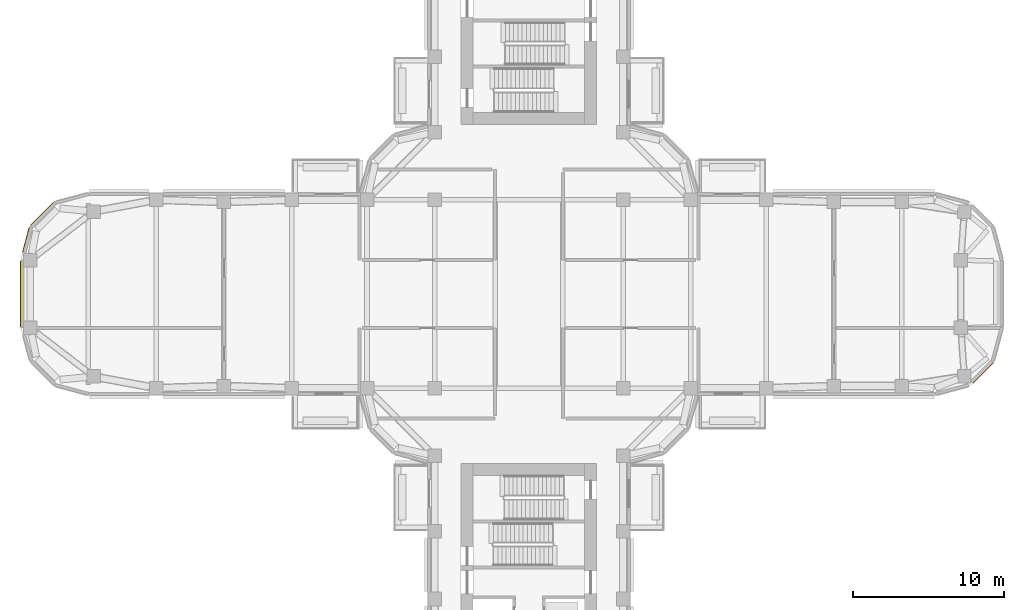
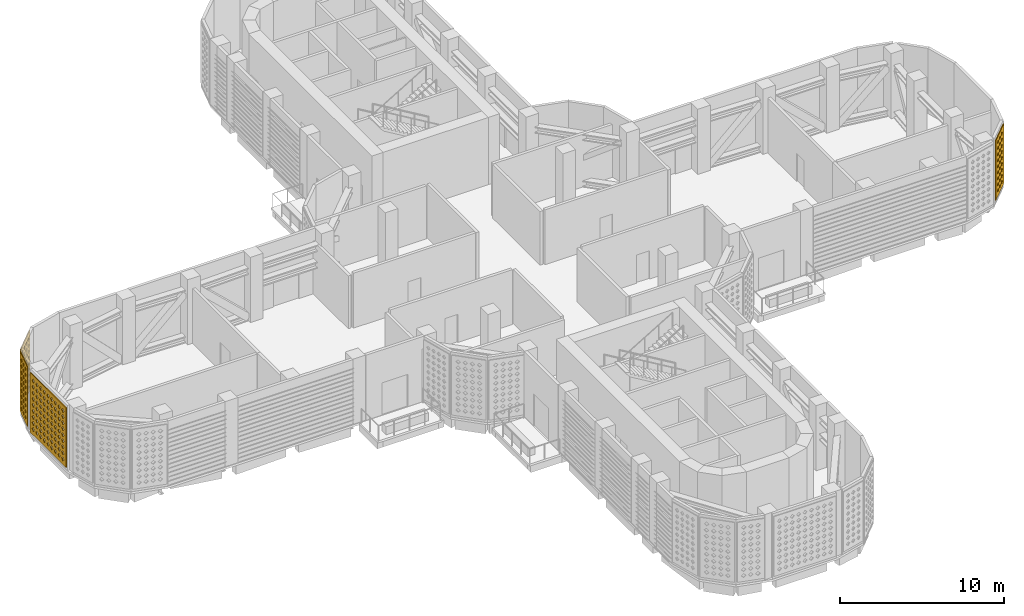
# One storey, part 14 of 20: 4 coverings.
"""IFC4 building model written with IfcOpenShell, lengths in metres."""

from ifc_helpers import new_model, si_unit, direction, frame, origin, place, context, subcontext, project, spatial, polyline, outline, extrude, source, transform, mapped, material, layer, layer_set, type_object, element, save


model = new_model("IFC4")

# Units and contexts
model_context = context("Model", 3, precision=1e-05, world=origin(), true_north=direction((0.0, 1.0)))
body_context = subcontext(model_context, "Body", "Model", "MODEL_VIEW")
ifc_project = project(units=[si_unit("LENGTHUNIT", "METRE"), si_unit("AREAUNIT", "SQUARE_METRE"), si_unit("VOLUMEUNIT", "CUBIC_METRE"), si_unit("PLANEANGLEUNIT", "RADIAN"), si_unit("MASSUNIT", "GRAM", prefix="KILO")], contexts=[model_context])

# Site, building, storey
site_placement = place(None, origin())
site = spatial("IfcSite", under=ifc_project, at=site_placement, CompositionType="ELEMENT")
building_placement = place(site_placement, origin())
building = spatial("IfcBuilding", under=site, at=building_placement, Name="Zarbagh Exchange Tower", CompositionType="ELEMENT")
storey_placement = place(building_placement, frame((0.0, 0.0, 136.0)))
storey = spatial("IfcBuildingStorey", under=building, at=storey_placement, Name="L32", CompositionType="ELEMENT", Elevation=136.0)

# Coverings
ifc_material = material(Name="Glass-fibre reinforced concrete GFRC C50/60", Category="concrete")
ifc_layer = layer(ifc_material, 0.06005859375)
ifc_layer_set = layer_set([ifc_layer], Name="SCREEN jali panel, GFRC")
covering_type = type_object("IfcCoveringType", Name="SCREEN jali panel, GFRC", PredefinedType="CLADDING", material=ifc_layer_set)
shared_shape_1 = source(origin(), body_context, "Body", "SweptSolid", [
    extrude(outline(polyline([(0.0, 0.0), (2.1650390625, 0.0), (2.1650390625, 4.449951171875), (0.0, 4.449951171875), (0.0, 0.0)]), holes=[polyline([(0.257568359375, 0.425048828125), (0.407470703125, 0.27490234375), (0.5576171875, 0.425048828125), (0.407470703125, 0.574951171875), (0.257568359375, 0.425048828125)]), polyline([(0.257568359375, 0.875), (0.407470703125, 0.72509765625), (0.5576171875, 0.875), (0.407470703125, 1.02490234375), (0.257568359375, 0.875)]), polyline([(0.257568359375, 1.324951171875), (0.407470703125, 1.175048828125), (0.5576171875, 1.324951171875), (0.407470703125, 1.47509765625), (0.257568359375, 1.324951171875)]), polyline([(0.257568359375, 1.77490234375), (0.407470703125, 1.625), (0.5576171875, 1.77490234375), (0.407470703125, 1.925048828125), (0.257568359375, 1.77490234375)]), polyline([(0.257568359375, 2.22509765625), (0.407470703125, 2.074951171875), (0.5576171875, 2.22509765625), (0.407470703125, 2.375), (0.257568359375, 2.22509765625)]), polyline([(0.257568359375, 2.675048828125), (0.407470703125, 2.52490234375), (0.5576171875, 2.675048828125), (0.407470703125, 2.824951171875), (0.257568359375, 2.675048828125)]), polyline([(0.257568359375, 3.125), (0.407470703125, 2.97509765625), (0.5576171875, 3.125), (0.407470703125, 3.27490234375), (0.257568359375, 3.125)]), polyline([(0.257568359375, 3.574951171875), (0.407470703125, 3.425048828125), (0.5576171875, 3.574951171875), (0.407470703125, 3.72509765625), (0.257568359375, 3.574951171875)]), polyline([(0.257568359375, 4.02490234375), (0.407470703125, 3.875), (0.5576171875, 4.02490234375), (0.407470703125, 4.175048828125), (0.257568359375, 4.02490234375)]), polyline([(0.70751953125, 0.425048828125), (0.857421875, 0.27490234375), (1.007568359375, 0.425048828125), (0.857421875, 0.574951171875), (0.70751953125, 0.425048828125)]), polyline([(0.70751953125, 0.875), (0.857421875, 0.72509765625), (1.007568359375, 0.875), (0.857421875, 1.02490234375), (0.70751953125, 0.875)]), polyline([(0.70751953125, 1.324951171875), (0.857421875, 1.175048828125), (1.007568359375, 1.324951171875), (0.857421875, 1.47509765625), (0.70751953125, 1.324951171875)]), polyline([(0.70751953125, 1.77490234375), (0.857421875, 1.625), (1.007568359375, 1.77490234375), (0.857421875, 1.925048828125), (0.70751953125, 1.77490234375)]), polyline([(0.70751953125, 2.22509765625), (0.857421875, 2.074951171875), (1.007568359375, 2.22509765625), (0.857421875, 2.375), (0.70751953125, 2.22509765625)]), polyline([(0.70751953125, 2.675048828125), (0.857421875, 2.52490234375), (1.007568359375, 2.675048828125), (0.857421875, 2.824951171875), (0.70751953125, 2.675048828125)]), polyline([(0.70751953125, 3.125), (0.857421875, 2.97509765625), (1.007568359375, 3.125), (0.857421875, 3.27490234375), (0.70751953125, 3.125)]), polyline([(0.70751953125, 3.574951171875), (0.857421875, 3.425048828125), (1.007568359375, 3.574951171875), (0.857421875, 3.72509765625), (0.70751953125, 3.574951171875)]), polyline([(0.70751953125, 4.02490234375), (0.857421875, 3.875), (1.007568359375, 4.02490234375), (0.857421875, 4.175048828125), (0.70751953125, 4.02490234375)]), polyline([(1.157470703125, 0.425048828125), (1.3076171875, 0.27490234375), (1.45751953125, 0.425048828125), (1.3076171875, 0.574951171875), (1.157470703125, 0.425048828125)]), polyline([(1.157470703125, 0.875), (1.3076171875, 0.72509765625), (1.45751953125, 0.875), (1.3076171875, 1.02490234375), (1.157470703125, 0.875)]), polyline([(1.157470703125, 1.324951171875), (1.3076171875, 1.175048828125), (1.45751953125, 1.324951171875), (1.3076171875, 1.47509765625), (1.157470703125, 1.324951171875)]), polyline([(1.157470703125, 1.77490234375), (1.3076171875, 1.625), (1.45751953125, 1.77490234375), (1.3076171875, 1.925048828125), (1.157470703125, 1.77490234375)]), polyline([(1.157470703125, 2.22509765625), (1.3076171875, 2.074951171875), (1.45751953125, 2.22509765625), (1.3076171875, 2.375), (1.157470703125, 2.22509765625)]), polyline([(1.157470703125, 2.675048828125), (1.3076171875, 2.52490234375), (1.45751953125, 2.675048828125), (1.3076171875, 2.824951171875), (1.157470703125, 2.675048828125)]), polyline([(1.157470703125, 3.125), (1.3076171875, 2.97509765625), (1.45751953125, 3.125), (1.3076171875, 3.27490234375), (1.157470703125, 3.125)]), polyline([(1.157470703125, 3.574951171875), (1.3076171875, 3.425048828125), (1.45751953125, 3.574951171875), (1.3076171875, 3.72509765625), (1.157470703125, 3.574951171875)]), polyline([(1.157470703125, 4.02490234375), (1.3076171875, 3.875), (1.45751953125, 4.02490234375), (1.3076171875, 4.175048828125), (1.157470703125, 4.02490234375)]), polyline([(1.607421875, 0.425048828125), (1.757568359375, 0.27490234375), (1.907470703125, 0.425048828125), (1.757568359375, 0.574951171875), (1.607421875, 0.425048828125)]), polyline([(1.607421875, 0.875), (1.757568359375, 0.72509765625), (1.907470703125, 0.875), (1.757568359375, 1.02490234375), (1.607421875, 0.875)]), polyline([(1.607421875, 1.324951171875), (1.757568359375, 1.175048828125), (1.907470703125, 1.324951171875), (1.757568359375, 1.47509765625), (1.607421875, 1.324951171875)]), polyline([(1.607421875, 1.77490234375), (1.757568359375, 1.625), (1.907470703125, 1.77490234375), (1.757568359375, 1.925048828125), (1.607421875, 1.77490234375)]), polyline([(1.607421875, 2.22509765625), (1.757568359375, 2.074951171875), (1.907470703125, 2.22509765625), (1.757568359375, 2.375), (1.607421875, 2.22509765625)]), polyline([(1.607421875, 2.675048828125), (1.757568359375, 2.52490234375), (1.907470703125, 2.675048828125), (1.757568359375, 2.824951171875), (1.607421875, 2.675048828125)]), polyline([(1.607421875, 3.125), (1.757568359375, 2.97509765625), (1.907470703125, 3.125), (1.757568359375, 3.27490234375), (1.607421875, 3.125)]), polyline([(1.607421875, 3.574951171875), (1.757568359375, 3.425048828125), (1.907470703125, 3.574951171875), (1.757568359375, 3.72509765625), (1.607421875, 3.574951171875)]), polyline([(1.607421875, 4.02490234375), (1.757568359375, 3.875), (1.907470703125, 4.02490234375), (1.757568359375, 4.175048828125), (1.607421875, 4.02490234375)])]), origin(), (0.0, 0.0, 1.0), 0.06005859375),
])
placement = place(storey_placement, origin())
element("IfcCovering", 1, at=placement, inside=storey, type_object=covering_type, Name="JS28 jali screen", PredefinedType="CLADDING", context=body_context, shape_type="MappedRepresentation", body=[
    mapped(shared_shape_1, transform((-31.5439453125, 6.074951171875, 0.199951171875), x_axis=(-0.707106781187, -0.707106781187, 0.0), y_axis=(0.0, 0.0, 1.0), z_axis=(-0.707106781187, 0.707106781187, 0.0))),
])
shared_shape_2 = source(origin(), body_context, "Body", "SweptSolid", [
    extrude(outline(polyline([(0.0, 0.0), (1.707763671875, 0.0), (1.707763671875, 4.449951171875), (0.0, 4.449951171875), (0.0, 0.0)]), holes=[polyline([(0.25390625, 0.425048828125), (0.40380859375, 0.27490234375), (0.553955078125, 0.425048828125), (0.40380859375, 0.574951171875), (0.25390625, 0.425048828125)]), polyline([(0.25390625, 0.875), (0.40380859375, 0.72509765625), (0.553955078125, 0.875), (0.40380859375, 1.02490234375), (0.25390625, 0.875)]), polyline([(0.25390625, 1.324951171875), (0.40380859375, 1.175048828125), (0.553955078125, 1.324951171875), (0.40380859375, 1.47509765625), (0.25390625, 1.324951171875)]), polyline([(0.25390625, 1.77490234375), (0.40380859375, 1.625), (0.553955078125, 1.77490234375), (0.40380859375, 1.925048828125), (0.25390625, 1.77490234375)]), polyline([(0.25390625, 2.22509765625), (0.40380859375, 2.074951171875), (0.553955078125, 2.22509765625), (0.40380859375, 2.375), (0.25390625, 2.22509765625)]), polyline([(0.25390625, 2.675048828125), (0.40380859375, 2.52490234375), (0.553955078125, 2.675048828125), (0.40380859375, 2.824951171875), (0.25390625, 2.675048828125)]), polyline([(0.25390625, 3.125), (0.40380859375, 2.97509765625), (0.553955078125, 3.125), (0.40380859375, 3.27490234375), (0.25390625, 3.125)]), polyline([(0.25390625, 3.574951171875), (0.40380859375, 3.425048828125), (0.553955078125, 3.574951171875), (0.40380859375, 3.72509765625), (0.25390625, 3.574951171875)]), polyline([(0.25390625, 4.02490234375), (0.40380859375, 3.875), (0.553955078125, 4.02490234375), (0.40380859375, 4.175048828125), (0.25390625, 4.02490234375)]), polyline([(0.703857421875, 0.425048828125), (0.85400390625, 0.27490234375), (1.00390625, 0.425048828125), (0.85400390625, 0.574951171875), (0.703857421875, 0.425048828125)]), polyline([(0.703857421875, 0.875), (0.85400390625, 0.72509765625), (1.00390625, 0.875), (0.85400390625, 1.02490234375), (0.703857421875, 0.875)]), polyline([(0.703857421875, 1.324951171875), (0.85400390625, 1.175048828125), (1.00390625, 1.324951171875), (0.85400390625, 1.47509765625), (0.703857421875, 1.324951171875)]), polyline([(0.703857421875, 1.77490234375), (0.85400390625, 1.625), (1.00390625, 1.77490234375), (0.85400390625, 1.925048828125), (0.703857421875, 1.77490234375)]), polyline([(0.703857421875, 2.22509765625), (0.85400390625, 2.074951171875), (1.00390625, 2.22509765625), (0.85400390625, 2.375), (0.703857421875, 2.22509765625)]), polyline([(0.703857421875, 2.675048828125), (0.85400390625, 2.52490234375), (1.00390625, 2.675048828125), (0.85400390625, 2.824951171875), (0.703857421875, 2.675048828125)]), polyline([(0.703857421875, 3.125), (0.85400390625, 2.97509765625), (1.00390625, 3.125), (0.85400390625, 3.27490234375), (0.703857421875, 3.125)]), polyline([(0.703857421875, 3.574951171875), (0.85400390625, 3.425048828125), (1.00390625, 3.574951171875), (0.85400390625, 3.72509765625), (0.703857421875, 3.574951171875)]), polyline([(0.703857421875, 4.02490234375), (0.85400390625, 3.875), (1.00390625, 4.02490234375), (0.85400390625, 4.175048828125), (0.703857421875, 4.02490234375)]), polyline([(1.15380859375, 0.425048828125), (1.303955078125, 0.27490234375), (1.453857421875, 0.425048828125), (1.303955078125, 0.574951171875), (1.15380859375, 0.425048828125)]), polyline([(1.15380859375, 0.875), (1.303955078125, 0.72509765625), (1.453857421875, 0.875), (1.303955078125, 1.02490234375), (1.15380859375, 0.875)]), polyline([(1.15380859375, 1.324951171875), (1.303955078125, 1.175048828125), (1.453857421875, 1.324951171875), (1.303955078125, 1.47509765625), (1.15380859375, 1.324951171875)]), polyline([(1.15380859375, 1.77490234375), (1.303955078125, 1.625), (1.453857421875, 1.77490234375), (1.303955078125, 1.925048828125), (1.15380859375, 1.77490234375)]), polyline([(1.15380859375, 2.22509765625), (1.303955078125, 2.074951171875), (1.453857421875, 2.22509765625), (1.303955078125, 2.375), (1.15380859375, 2.22509765625)]), polyline([(1.15380859375, 2.675048828125), (1.303955078125, 2.52490234375), (1.453857421875, 2.675048828125), (1.303955078125, 2.824951171875), (1.15380859375, 2.675048828125)]), polyline([(1.15380859375, 3.125), (1.303955078125, 2.97509765625), (1.453857421875, 3.125), (1.303955078125, 3.27490234375), (1.15380859375, 3.125)]), polyline([(1.15380859375, 3.574951171875), (1.303955078125, 3.425048828125), (1.453857421875, 3.574951171875), (1.303955078125, 3.72509765625), (1.15380859375, 3.574951171875)]), polyline([(1.15380859375, 4.02490234375), (1.303955078125, 3.875), (1.453857421875, 4.02490234375), (1.303955078125, 4.175048828125), (1.15380859375, 4.02490234375)])]), origin(), (0.0, 0.0, 1.0), 0.06005859375),
])
element("IfcCovering", 2, at=placement, inside=storey, type_object=covering_type, Name="JS29 jali screen", PredefinedType="CLADDING", context=body_context, shape_type="MappedRepresentation", body=[
    mapped(shared_shape_2, transform((-33.14892578125, 4.41552734375, 0.199951171875), x_axis=(-0.258825057666, -0.965924215207, 0.0), y_axis=(0.0, 0.0, 1.0), z_axis=(-0.965924215207, 0.258825057666, 0.0))),
])
shared_shape_3 = source(origin(), body_context, "Body", "SweptSolid", [
    extrude(outline(polyline([(0.0, 0.0), (1.917724609375, 0.0), (1.917724609375, 4.449951171875), (0.0, 4.449951171875), (0.0, 0.0)]), holes=[polyline([(0.35888671875, 0.425048828125), (0.5087890625, 0.27490234375), (0.658935546875, 0.425048828125), (0.5087890625, 0.574951171875), (0.35888671875, 0.425048828125)]), polyline([(0.35888671875, 0.875), (0.5087890625, 0.72509765625), (0.658935546875, 0.875), (0.5087890625, 1.02490234375), (0.35888671875, 0.875)]), polyline([(0.35888671875, 1.324951171875), (0.5087890625, 1.175048828125), (0.658935546875, 1.324951171875), (0.5087890625, 1.47509765625), (0.35888671875, 1.324951171875)]), polyline([(0.35888671875, 1.77490234375), (0.5087890625, 1.625), (0.658935546875, 1.77490234375), (0.5087890625, 1.925048828125), (0.35888671875, 1.77490234375)]), polyline([(0.35888671875, 2.22509765625), (0.5087890625, 2.074951171875), (0.658935546875, 2.22509765625), (0.5087890625, 2.375), (0.35888671875, 2.22509765625)]), polyline([(0.35888671875, 2.675048828125), (0.5087890625, 2.52490234375), (0.658935546875, 2.675048828125), (0.5087890625, 2.824951171875), (0.35888671875, 2.675048828125)]), polyline([(0.35888671875, 3.125), (0.5087890625, 2.97509765625), (0.658935546875, 3.125), (0.5087890625, 3.27490234375), (0.35888671875, 3.125)]), polyline([(0.35888671875, 3.574951171875), (0.5087890625, 3.425048828125), (0.658935546875, 3.574951171875), (0.5087890625, 3.72509765625), (0.35888671875, 3.574951171875)]), polyline([(0.35888671875, 4.02490234375), (0.5087890625, 3.875), (0.658935546875, 4.02490234375), (0.5087890625, 4.175048828125), (0.35888671875, 4.02490234375)]), polyline([(0.808837890625, 0.425048828125), (0.958984375, 0.27490234375), (1.10888671875, 0.425048828125), (0.958984375, 0.574951171875), (0.808837890625, 0.425048828125)]), polyline([(0.808837890625, 0.875), (0.958984375, 0.72509765625), (1.10888671875, 0.875), (0.958984375, 1.02490234375), (0.808837890625, 0.875)]), polyline([(0.808837890625, 1.324951171875), (0.958984375, 1.175048828125), (1.10888671875, 1.324951171875), (0.958984375, 1.47509765625), (0.808837890625, 1.324951171875)]), polyline([(0.808837890625, 1.77490234375), (0.958984375, 1.625), (1.10888671875, 1.77490234375), (0.958984375, 1.925048828125), (0.808837890625, 1.77490234375)]), polyline([(0.808837890625, 2.22509765625), (0.958984375, 2.074951171875), (1.10888671875, 2.22509765625), (0.958984375, 2.375), (0.808837890625, 2.22509765625)]), polyline([(0.808837890625, 2.675048828125), (0.958984375, 2.52490234375), (1.10888671875, 2.675048828125), (0.958984375, 2.824951171875), (0.808837890625, 2.675048828125)]), polyline([(0.808837890625, 3.125), (0.958984375, 2.97509765625), (1.10888671875, 3.125), (0.958984375, 3.27490234375), (0.808837890625, 3.125)]), polyline([(0.808837890625, 3.574951171875), (0.958984375, 3.425048828125), (1.10888671875, 3.574951171875), (0.958984375, 3.72509765625), (0.808837890625, 3.574951171875)]), polyline([(0.808837890625, 4.02490234375), (0.958984375, 3.875), (1.10888671875, 4.02490234375), (0.958984375, 4.175048828125), (0.808837890625, 4.02490234375)]), polyline([(1.2587890625, 0.425048828125), (1.408935546875, 0.27490234375), (1.558837890625, 0.425048828125), (1.408935546875, 0.574951171875), (1.2587890625, 0.425048828125)]), polyline([(1.2587890625, 0.875), (1.408935546875, 0.72509765625), (1.558837890625, 0.875), (1.408935546875, 1.02490234375), (1.2587890625, 0.875)]), polyline([(1.2587890625, 1.324951171875), (1.408935546875, 1.175048828125), (1.558837890625, 1.324951171875), (1.408935546875, 1.47509765625), (1.2587890625, 1.324951171875)]), polyline([(1.2587890625, 1.77490234375), (1.408935546875, 1.625), (1.558837890625, 1.77490234375), (1.408935546875, 1.925048828125), (1.2587890625, 1.77490234375)]), polyline([(1.2587890625, 2.22509765625), (1.408935546875, 2.074951171875), (1.558837890625, 2.22509765625), (1.408935546875, 2.375), (1.2587890625, 2.22509765625)]), polyline([(1.2587890625, 2.675048828125), (1.408935546875, 2.52490234375), (1.558837890625, 2.675048828125), (1.408935546875, 2.824951171875), (1.2587890625, 2.675048828125)]), polyline([(1.2587890625, 3.125), (1.408935546875, 2.97509765625), (1.558837890625, 3.125), (1.408935546875, 3.27490234375), (1.2587890625, 3.125)]), polyline([(1.2587890625, 3.574951171875), (1.408935546875, 3.425048828125), (1.558837890625, 3.574951171875), (1.408935546875, 3.72509765625), (1.2587890625, 3.574951171875)]), polyline([(1.2587890625, 4.02490234375), (1.408935546875, 3.875), (1.558837890625, 4.02490234375), (1.408935546875, 4.175048828125), (1.2587890625, 4.02490234375)])]), origin(), (0.0, 0.0, 1.0), 0.06005859375),
])
element("IfcCovering", 3, at=placement, inside=storey, type_object=covering_type, Name="JS42 jali screen", PredefinedType="CLADDING", context=body_context, shape_type="MappedRepresentation", body=[
    mapped(shared_shape_3, transform((29.46875, -5.900146484375, 0.199951171875), x_axis=(0.707106781187, 0.707106781187, 0.0), y_axis=(0.0, 0.0, 1.0), z_axis=(0.707106781187, -0.707106781187, 0.0))),
])
shared_shape_4 = source(origin(), body_context, "Body", "SweptSolid", [
    extrude(outline(polyline([(0.0, 0.0), (4.368408203125, 0.0), (4.368408203125, 4.449951171875), (0.0, 4.449951171875), (0.0, 0.0)]), holes=[polyline([(0.234130859375, 0.425048828125), (0.38427734375, 0.27490234375), (0.5341796875, 0.425048828125), (0.38427734375, 0.574951171875), (0.234130859375, 0.425048828125)]), polyline([(0.234130859375, 0.875), (0.38427734375, 0.72509765625), (0.5341796875, 0.875), (0.38427734375, 1.02490234375), (0.234130859375, 0.875)]), polyline([(0.234130859375, 1.324951171875), (0.38427734375, 1.175048828125), (0.5341796875, 1.324951171875), (0.38427734375, 1.47509765625), (0.234130859375, 1.324951171875)]), polyline([(0.234130859375, 1.77490234375), (0.38427734375, 1.625), (0.5341796875, 1.77490234375), (0.38427734375, 1.925048828125), (0.234130859375, 1.77490234375)]), polyline([(0.234130859375, 2.22509765625), (0.38427734375, 2.074951171875), (0.5341796875, 2.22509765625), (0.38427734375, 2.375), (0.234130859375, 2.22509765625)]), polyline([(0.234130859375, 2.675048828125), (0.38427734375, 2.52490234375), (0.5341796875, 2.675048828125), (0.38427734375, 2.824951171875), (0.234130859375, 2.675048828125)]), polyline([(0.234130859375, 3.125), (0.38427734375, 2.97509765625), (0.5341796875, 3.125), (0.38427734375, 3.27490234375), (0.234130859375, 3.125)]), polyline([(0.234130859375, 3.574951171875), (0.38427734375, 3.425048828125), (0.5341796875, 3.574951171875), (0.38427734375, 3.72509765625), (0.234130859375, 3.574951171875)]), polyline([(0.234130859375, 4.02490234375), (0.38427734375, 3.875), (0.5341796875, 4.02490234375), (0.38427734375, 4.175048828125), (0.234130859375, 4.02490234375)]), polyline([(0.68408203125, 0.425048828125), (0.834228515625, 0.27490234375), (0.984130859375, 0.425048828125), (0.834228515625, 0.574951171875), (0.68408203125, 0.425048828125)]), polyline([(0.68408203125, 0.875), (0.834228515625, 0.72509765625), (0.984130859375, 0.875), (0.834228515625, 1.02490234375), (0.68408203125, 0.875)]), polyline([(0.68408203125, 1.324951171875), (0.834228515625, 1.175048828125), (0.984130859375, 1.324951171875), (0.834228515625, 1.47509765625), (0.68408203125, 1.324951171875)]), polyline([(0.68408203125, 1.77490234375), (0.834228515625, 1.625), (0.984130859375, 1.77490234375), (0.834228515625, 1.925048828125), (0.68408203125, 1.77490234375)]), polyline([(0.68408203125, 2.22509765625), (0.834228515625, 2.074951171875), (0.984130859375, 2.22509765625), (0.834228515625, 2.375), (0.68408203125, 2.22509765625)]), polyline([(0.68408203125, 2.675048828125), (0.834228515625, 2.52490234375), (0.984130859375, 2.675048828125), (0.834228515625, 2.824951171875), (0.68408203125, 2.675048828125)]), polyline([(0.68408203125, 3.125), (0.834228515625, 2.97509765625), (0.984130859375, 3.125), (0.834228515625, 3.27490234375), (0.68408203125, 3.125)]), polyline([(0.68408203125, 3.574951171875), (0.834228515625, 3.425048828125), (0.984130859375, 3.574951171875), (0.834228515625, 3.72509765625), (0.68408203125, 3.574951171875)]), polyline([(0.68408203125, 4.02490234375), (0.834228515625, 3.875), (0.984130859375, 4.02490234375), (0.834228515625, 4.175048828125), (0.68408203125, 4.02490234375)]), polyline([(1.13427734375, 0.425048828125), (1.2841796875, 0.27490234375), (1.43408203125, 0.425048828125), (1.2841796875, 0.574951171875), (1.13427734375, 0.425048828125)]), polyline([(1.13427734375, 0.875), (1.2841796875, 0.72509765625), (1.43408203125, 0.875), (1.2841796875, 1.02490234375), (1.13427734375, 0.875)]), polyline([(1.13427734375, 1.324951171875), (1.2841796875, 1.175048828125), (1.43408203125, 1.324951171875), (1.2841796875, 1.47509765625), (1.13427734375, 1.324951171875)]), polyline([(1.13427734375, 1.77490234375), (1.2841796875, 1.625), (1.43408203125, 1.77490234375), (1.2841796875, 1.925048828125), (1.13427734375, 1.77490234375)]), polyline([(1.13427734375, 2.22509765625), (1.2841796875, 2.074951171875), (1.43408203125, 2.22509765625), (1.2841796875, 2.375), (1.13427734375, 2.22509765625)]), polyline([(1.13427734375, 2.675048828125), (1.2841796875, 2.52490234375), (1.43408203125, 2.675048828125), (1.2841796875, 2.824951171875), (1.13427734375, 2.675048828125)]), polyline([(1.13427734375, 3.125), (1.2841796875, 2.97509765625), (1.43408203125, 3.125), (1.2841796875, 3.27490234375), (1.13427734375, 3.125)]), polyline([(1.13427734375, 3.574951171875), (1.2841796875, 3.425048828125), (1.43408203125, 3.574951171875), (1.2841796875, 3.72509765625), (1.13427734375, 3.574951171875)]), polyline([(1.13427734375, 4.02490234375), (1.2841796875, 3.875), (1.43408203125, 4.02490234375), (1.2841796875, 4.175048828125), (1.13427734375, 4.02490234375)]), polyline([(1.584228515625, 0.425048828125), (1.734130859375, 0.27490234375), (1.88427734375, 0.425048828125), (1.734130859375, 0.574951171875), (1.584228515625, 0.425048828125)]), polyline([(1.584228515625, 0.875), (1.734130859375, 0.72509765625), (1.88427734375, 0.875), (1.734130859375, 1.02490234375), (1.584228515625, 0.875)]), polyline([(1.584228515625, 1.324951171875), (1.734130859375, 1.175048828125), (1.88427734375, 1.324951171875), (1.734130859375, 1.47509765625), (1.584228515625, 1.324951171875)]), polyline([(1.584228515625, 1.77490234375), (1.734130859375, 1.625), (1.88427734375, 1.77490234375), (1.734130859375, 1.925048828125), (1.584228515625, 1.77490234375)]), polyline([(1.584228515625, 2.22509765625), (1.734130859375, 2.074951171875), (1.88427734375, 2.22509765625), (1.734130859375, 2.375), (1.584228515625, 2.22509765625)]), polyline([(1.584228515625, 2.675048828125), (1.734130859375, 2.52490234375), (1.88427734375, 2.675048828125), (1.734130859375, 2.824951171875), (1.584228515625, 2.675048828125)]), polyline([(1.584228515625, 3.125), (1.734130859375, 2.97509765625), (1.88427734375, 3.125), (1.734130859375, 3.27490234375), (1.584228515625, 3.125)]), polyline([(1.584228515625, 3.574951171875), (1.734130859375, 3.425048828125), (1.88427734375, 3.574951171875), (1.734130859375, 3.72509765625), (1.584228515625, 3.574951171875)]), polyline([(1.584228515625, 4.02490234375), (1.734130859375, 3.875), (1.88427734375, 4.02490234375), (1.734130859375, 4.175048828125), (1.584228515625, 4.02490234375)]), polyline([(2.0341796875, 0.425048828125), (2.18408203125, 0.27490234375), (2.334228515625, 0.425048828125), (2.18408203125, 0.574951171875), (2.0341796875, 0.425048828125)]), polyline([(2.0341796875, 0.875), (2.18408203125, 0.72509765625), (2.334228515625, 0.875), (2.18408203125, 1.02490234375), (2.0341796875, 0.875)]), polyline([(2.0341796875, 1.324951171875), (2.18408203125, 1.175048828125), (2.334228515625, 1.324951171875), (2.18408203125, 1.47509765625), (2.0341796875, 1.324951171875)]), polyline([(2.0341796875, 1.77490234375), (2.18408203125, 1.625), (2.334228515625, 1.77490234375), (2.18408203125, 1.925048828125), (2.0341796875, 1.77490234375)]), polyline([(2.0341796875, 2.22509765625), (2.18408203125, 2.074951171875), (2.334228515625, 2.22509765625), (2.18408203125, 2.375), (2.0341796875, 2.22509765625)]), polyline([(2.0341796875, 2.675048828125), (2.18408203125, 2.52490234375), (2.334228515625, 2.675048828125), (2.18408203125, 2.824951171875), (2.0341796875, 2.675048828125)]), polyline([(2.0341796875, 3.125), (2.18408203125, 2.97509765625), (2.334228515625, 3.125), (2.18408203125, 3.27490234375), (2.0341796875, 3.125)]), polyline([(2.0341796875, 3.574951171875), (2.18408203125, 3.425048828125), (2.334228515625, 3.574951171875), (2.18408203125, 3.72509765625), (2.0341796875, 3.574951171875)]), polyline([(2.0341796875, 4.02490234375), (2.18408203125, 3.875), (2.334228515625, 4.02490234375), (2.18408203125, 4.175048828125), (2.0341796875, 4.02490234375)]), polyline([(2.484130859375, 0.425048828125), (2.63427734375, 0.27490234375), (2.7841796875, 0.425048828125), (2.63427734375, 0.574951171875), (2.484130859375, 0.425048828125)]), polyline([(2.484130859375, 0.875), (2.63427734375, 0.72509765625), (2.7841796875, 0.875), (2.63427734375, 1.02490234375), (2.484130859375, 0.875)]), polyline([(2.484130859375, 1.324951171875), (2.63427734375, 1.175048828125), (2.7841796875, 1.324951171875), (2.63427734375, 1.47509765625), (2.484130859375, 1.324951171875)]), polyline([(2.484130859375, 1.77490234375), (2.63427734375, 1.625), (2.7841796875, 1.77490234375), (2.63427734375, 1.925048828125), (2.484130859375, 1.77490234375)]), polyline([(2.484130859375, 2.22509765625), (2.63427734375, 2.074951171875), (2.7841796875, 2.22509765625), (2.63427734375, 2.375), (2.484130859375, 2.22509765625)]), polyline([(2.484130859375, 2.675048828125), (2.63427734375, 2.52490234375), (2.7841796875, 2.675048828125), (2.63427734375, 2.824951171875), (2.484130859375, 2.675048828125)]), polyline([(2.484130859375, 3.125), (2.63427734375, 2.97509765625), (2.7841796875, 3.125), (2.63427734375, 3.27490234375), (2.484130859375, 3.125)]), polyline([(2.484130859375, 3.574951171875), (2.63427734375, 3.425048828125), (2.7841796875, 3.574951171875), (2.63427734375, 3.72509765625), (2.484130859375, 3.574951171875)]), polyline([(2.484130859375, 4.02490234375), (2.63427734375, 3.875), (2.7841796875, 4.02490234375), (2.63427734375, 4.175048828125), (2.484130859375, 4.02490234375)]), polyline([(2.93408203125, 0.425048828125), (3.084228515625, 0.27490234375), (3.234130859375, 0.425048828125), (3.084228515625, 0.574951171875), (2.93408203125, 0.425048828125)]), polyline([(2.93408203125, 0.875), (3.084228515625, 0.72509765625), (3.234130859375, 0.875), (3.084228515625, 1.02490234375), (2.93408203125, 0.875)]), polyline([(2.93408203125, 1.324951171875), (3.084228515625, 1.175048828125), (3.234130859375, 1.324951171875), (3.084228515625, 1.47509765625), (2.93408203125, 1.324951171875)]), polyline([(2.93408203125, 1.77490234375), (3.084228515625, 1.625), (3.234130859375, 1.77490234375), (3.084228515625, 1.925048828125), (2.93408203125, 1.77490234375)]), polyline([(2.93408203125, 2.22509765625), (3.084228515625, 2.074951171875), (3.234130859375, 2.22509765625), (3.084228515625, 2.375), (2.93408203125, 2.22509765625)]), polyline([(2.93408203125, 2.675048828125), (3.084228515625, 2.52490234375), (3.234130859375, 2.675048828125), (3.084228515625, 2.824951171875), (2.93408203125, 2.675048828125)]), polyline([(2.93408203125, 3.125), (3.084228515625, 2.97509765625), (3.234130859375, 3.125), (3.084228515625, 3.27490234375), (2.93408203125, 3.125)]), polyline([(2.93408203125, 3.574951171875), (3.084228515625, 3.425048828125), (3.234130859375, 3.574951171875), (3.084228515625, 3.72509765625), (2.93408203125, 3.574951171875)]), polyline([(2.93408203125, 4.02490234375), (3.084228515625, 3.875), (3.234130859375, 4.02490234375), (3.084228515625, 4.175048828125), (2.93408203125, 4.02490234375)]), polyline([(3.38427734375, 0.425048828125), (3.5341796875, 0.27490234375), (3.68408203125, 0.425048828125), (3.5341796875, 0.574951171875), (3.38427734375, 0.425048828125)]), polyline([(3.38427734375, 0.875), (3.5341796875, 0.72509765625), (3.68408203125, 0.875), (3.5341796875, 1.02490234375), (3.38427734375, 0.875)]), polyline([(3.38427734375, 1.324951171875), (3.5341796875, 1.175048828125), (3.68408203125, 1.324951171875), (3.5341796875, 1.47509765625), (3.38427734375, 1.324951171875)]), polyline([(3.38427734375, 1.77490234375), (3.5341796875, 1.625), (3.68408203125, 1.77490234375), (3.5341796875, 1.925048828125), (3.38427734375, 1.77490234375)]), polyline([(3.38427734375, 2.22509765625), (3.5341796875, 2.074951171875), (3.68408203125, 2.22509765625), (3.5341796875, 2.375), (3.38427734375, 2.22509765625)]), polyline([(3.38427734375, 2.675048828125), (3.5341796875, 2.52490234375), (3.68408203125, 2.675048828125), (3.5341796875, 2.824951171875), (3.38427734375, 2.675048828125)]), polyline([(3.38427734375, 3.125), (3.5341796875, 2.97509765625), (3.68408203125, 3.125), (3.5341796875, 3.27490234375), (3.38427734375, 3.125)]), polyline([(3.38427734375, 3.574951171875), (3.5341796875, 3.425048828125), (3.68408203125, 3.574951171875), (3.5341796875, 3.72509765625), (3.38427734375, 3.574951171875)]), polyline([(3.38427734375, 4.02490234375), (3.5341796875, 3.875), (3.68408203125, 4.02490234375), (3.5341796875, 4.175048828125), (3.38427734375, 4.02490234375)]), polyline([(3.834228515625, 0.425048828125), (3.984130859375, 0.27490234375), (4.13427734375, 0.425048828125), (3.984130859375, 0.574951171875), (3.834228515625, 0.425048828125)]), polyline([(3.834228515625, 0.875), (3.984130859375, 0.72509765625), (4.13427734375, 0.875), (3.984130859375, 1.02490234375), (3.834228515625, 0.875)]), polyline([(3.834228515625, 1.324951171875), (3.984130859375, 1.175048828125), (4.13427734375, 1.324951171875), (3.984130859375, 1.47509765625), (3.834228515625, 1.324951171875)]), polyline([(3.834228515625, 1.77490234375), (3.984130859375, 1.625), (4.13427734375, 1.77490234375), (3.984130859375, 1.925048828125), (3.834228515625, 1.77490234375)]), polyline([(3.834228515625, 2.22509765625), (3.984130859375, 2.074951171875), (4.13427734375, 2.22509765625), (3.984130859375, 2.375), (3.834228515625, 2.22509765625)]), polyline([(3.834228515625, 2.675048828125), (3.984130859375, 2.52490234375), (4.13427734375, 2.675048828125), (3.984130859375, 2.824951171875), (3.834228515625, 2.675048828125)]), polyline([(3.834228515625, 3.125), (3.984130859375, 2.97509765625), (4.13427734375, 3.125), (3.984130859375, 3.27490234375), (3.834228515625, 3.125)]), polyline([(3.834228515625, 3.574951171875), (3.984130859375, 3.425048828125), (4.13427734375, 3.574951171875), (3.984130859375, 3.72509765625), (3.834228515625, 3.574951171875)]), polyline([(3.834228515625, 4.02490234375), (3.984130859375, 3.875), (4.13427734375, 4.02490234375), (3.984130859375, 4.175048828125), (3.834228515625, 4.02490234375)])]), origin(), (0.0, 0.0, 1.0), 0.06005859375),
])
element("IfcCovering", 4, at=placement, inside=storey, type_object=covering_type, Name="JS30 jali screen", PredefinedType="CLADDING", context=body_context, shape_type="MappedRepresentation", body=[
    mapped(shared_shape_4, transform((-33.72998046875, 2.18408203125, 0.199951171875), x_axis=(0.0, -1.0, 0.0), y_axis=(0.0, 0.0, 1.0), z_axis=(-1.0, 0.0, 0.0))),
])

save(model, "model.ifc")
